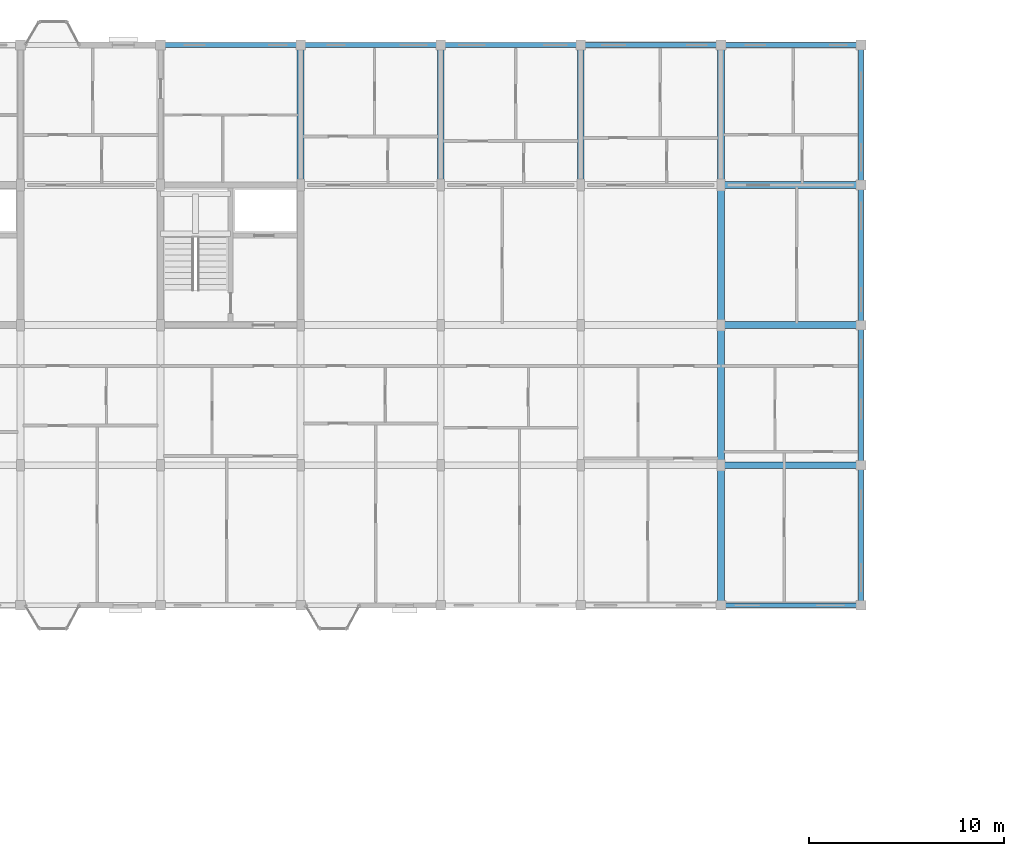
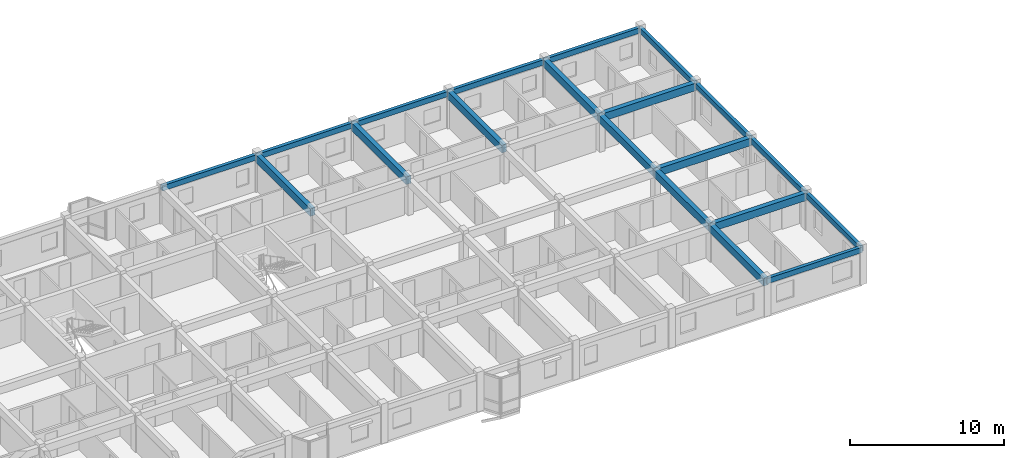
# One storey, part 41 of 70: 20 beams.
"""IFC4 building model written with IfcOpenShell, lengths in metres."""

from ifc_helpers import new_model, si_unit, direction, frame, origin, origin_2d, place, context, subcontext, project, spatial, rectangle, extrude, material, material_profile, profile_set, type_object, element, save


model = new_model("IFC4")

# Units and contexts
model_context = context("Model", 3, precision=1e-05, world=origin(), true_north=direction((0.0, 1.0)))
body_context = subcontext(model_context, "Body", "Model", "MODEL_VIEW")
ifc_project = project(units=[si_unit("LENGTHUNIT", "METRE"), si_unit("AREAUNIT", "SQUARE_METRE"), si_unit("VOLUMEUNIT", "CUBIC_METRE"), si_unit("PLANEANGLEUNIT", "RADIAN"), si_unit("MASSUNIT", "GRAM", prefix="KILO"), si_unit("THERMODYNAMICTEMPERATUREUNIT", "KELVIN"), si_unit("POWERUNIT", "WATT")], contexts=[model_context])

# Site, building, storey
site_placement = place(None, origin())
site = spatial("IfcSite", under=ifc_project, at=site_placement, CompositionType="ELEMENT")
building_placement = place(site_placement, origin())
building = spatial("IfcBuilding", under=site, at=building_placement, Name="Tavuni Mirador Residences", CompositionType="ELEMENT")
storey_placement = place(building_placement, frame((0.0, 0.0, 23.39990234375)))
storey = spatial("IfcBuildingStorey", under=building, at=storey_placement, Name="L07", CompositionType="ELEMENT", Elevation=23.39990234375)

# Beams
ifc_material = material(Name="Precast concrete C40/50", Category="concrete")
ifc_material_profile_1 = material_profile(ifc_material, rectangle(XDim=0.35009765625, YDim=0.60009765625, at=origin_2d()), Name="PC 350x600", Category="concrete")
ifc_profile_set_1 = profile_set([ifc_material_profile_1], Name="Precast concrete C40/50")
beam_type_1 = type_object("IfcBeamType", Name="BT-B600", PredefinedType="BEAM", material=ifc_profile_set_1)
for number, where, z_axis, x_axis, name in (
    (1, (68.39990234375, 151.199951171875, 2.585205078125), (1.0, 0.0, 0.0), (0.0, 1.0, 0.0), "BMX-BLK-C-L07-08-01"),
    (2, (68.39990234375, 158.39990234375, 2.585205078125), (1.0, 0.0, 0.0), (0.0, 1.0, 0.0), "BMX-BLK-C-L07-08-02"),
    (3, (68.39990234375, 165.60009765625, 2.585205078125), (1.0, 0.0, 0.0), (0.0, 1.0, 0.0), "BMX-BLK-C-L07-08-03"),
):
    element("IfcBeam", number, at=place(storey_placement, frame(where, z_axis=z_axis, x_axis=x_axis)), inside=storey, type_object=beam_type_1, Name=name, PredefinedType="BEAM", context=body_context, shape_type="SweptSolid", body=[
        extrude(rectangle(XDim=0.35009765625, YDim=0.60009765625, at=origin_2d()), origin(), (0.0, 0.0, 1.0), 7.2001953125),
    ])
for number, where, z_axis, x_axis, name in (
    (4, (46.800048828125, 165.60009765625, 2.585205078125), (0.0, 1.0, 0.0), (-1.0, 0.0, 0.0), "BMY-BLK-C-L07-05-03"),
    (5, (54.0, 165.60009765625, 2.585205078125), (0.0, 1.0, 0.0), (-1.0, 0.0, 0.0), "BMY-BLK-C-L07-06-03"),
    (6, (61.199951171875, 165.60009765625, 2.585205078125), (0.0, 1.0, 0.0), (-1.0, 0.0, 0.0), "BMY-BLK-C-L07-07-03"),
    (7, (68.39990234375, 144.0, 2.585205078125), (0.0, 1.0, 0.0), (-1.0, 0.0, 0.0), "BMY-BLK-C-L07-08-00"),
    (8, (68.39990234375, 151.199951171875, 2.585205078125), (0.0, 1.0, 0.0), (-1.0, 0.0, 0.0), "BMY-BLK-C-L07-08-01"),
):
    element("IfcBeam", number, at=place(storey_placement, frame(where, z_axis=z_axis, x_axis=x_axis)), inside=storey, type_object=beam_type_1, Name=name, PredefinedType="BEAM", context=body_context, shape_type="SweptSolid", body=[
        extrude(rectangle(XDim=0.35009765625, YDim=0.60009765625, at=origin_2d()), origin(), (0.0, 0.0, 1.0), 7.199951171875),
    ])
beam_1_placement = place(storey_placement, frame((68.39990234375, 158.39990234375, 2.585205078125), z_axis=(0.0, 1.0, 0.0), x_axis=(-1.0, 0.0, 0.0)))
element("IfcBeam", 9, at=beam_1_placement, inside=storey, type_object=beam_type_1, Name="BMY-BLK-C-L07-08-02", PredefinedType="BEAM", context=body_context, shape_type="SweptSolid", body=[
    extrude(rectangle(XDim=0.35009765625, YDim=0.60009765625, at=origin_2d()), origin(), (0.0, 0.0, 1.0), 7.2001953125),
])
beam_2_placement = place(storey_placement, frame((68.39990234375, 165.60009765625, 2.585205078125), z_axis=(0.0, 1.0, 0.0), x_axis=(-1.0, 0.0, 0.0)))
element("IfcBeam", 10, at=beam_2_placement, inside=storey, type_object=beam_type_1, Name="BMY-BLK-C-L07-08-03", PredefinedType="BEAM", context=body_context, shape_type="SweptSolid", body=[
    extrude(rectangle(XDim=0.35009765625, YDim=0.60009765625, at=origin_2d()), origin(), (0.0, 0.0, 1.0), 7.199951171875),
])
ifc_material_profile_2 = material_profile(ifc_material, rectangle(XDim=0.25, YDim=0.419921875, at=origin_2d()), Name="PC 250x420", Category="concrete")
ifc_profile_set_2 = profile_set([ifc_material_profile_2], Name="Precast concrete C40/50")
beam_type_2 = type_object("IfcBeamType", Name="BT-SP420", PredefinedType="SPANDREL", material=ifc_profile_set_2)
beam_3_placement = place(storey_placement, frame((68.39990234375, 144.0, 2.675048828125), z_axis=(1.0, 0.0, 0.0), x_axis=(0.0, 1.0, 0.0)))
element("IfcBeam", 11, at=beam_3_placement, inside=storey, type_object=beam_type_2, Name="BMX-BLK-C-L07-08-00", PredefinedType="SPANDREL", context=body_context, shape_type="SweptSolid", body=[
    extrude(rectangle(XDim=0.25, YDim=0.419921875, at=origin_2d()), origin(), (0.0, 0.0, 1.0), 7.2001953125),
])
for number, where, z_axis, x_axis, name in (
    (12, (39.60009765625, 172.800048828125, 2.675048828125), (1.0, 0.0, 0.0), (0.0, 1.0, 0.0), "BMX-BLK-C-L07-04-04"),
    (13, (46.800048828125, 172.800048828125, 2.675048828125), (1.0, 0.0, 0.0), (0.0, 1.0, 0.0), "BMX-BLK-C-L07-05-04"),
    (14, (54.0, 172.800048828125, 2.675048828125), (1.0, 0.0, 0.0), (0.0, 1.0, 0.0), "BMX-BLK-C-L07-06-04"),
    (15, (61.199951171875, 172.800048828125, 2.675048828125), (1.0, 0.0, 0.0), (0.0, 1.0, 0.0), "BMX-BLK-C-L07-07-04"),
):
    element("IfcBeam", number, at=place(storey_placement, frame(where, z_axis=z_axis, x_axis=x_axis)), inside=storey, type_object=beam_type_2, Name=name, PredefinedType="SPANDREL", context=body_context, shape_type="SweptSolid", body=[
        extrude(rectangle(XDim=0.25, YDim=0.419921875, at=origin_2d()), origin(), (0.0, 0.0, 1.0), 7.199951171875),
    ])
beam_4_placement = place(storey_placement, frame((68.39990234375, 172.800048828125, 2.675048828125), z_axis=(1.0, 0.0, 0.0), x_axis=(0.0, 1.0, 0.0)))
element("IfcBeam", 16, at=beam_4_placement, inside=storey, type_object=beam_type_2, Name="BMX-BLK-C-L07-08-04", PredefinedType="SPANDREL", context=body_context, shape_type="SweptSolid", body=[
    extrude(rectangle(XDim=0.25, YDim=0.419921875, at=origin_2d()), origin(), (0.0, 0.0, 1.0), 7.2001953125),
])
for number, where, z_axis, x_axis, name in (
    (17, (75.60009765625, 144.0, 2.675048828125), (0.0, 1.0, 0.0), (-1.0, 0.0, 0.0), "BMY-BLK-C-L07-09-00"),
    (18, (75.60009765625, 151.199951171875, 2.675048828125), (0.0, 1.0, 0.0), (-1.0, 0.0, 0.0), "BMY-BLK-C-L07-09-01"),
):
    element("IfcBeam", number, at=place(storey_placement, frame(where, z_axis=z_axis, x_axis=x_axis)), inside=storey, type_object=beam_type_2, Name=name, PredefinedType="SPANDREL", context=body_context, shape_type="SweptSolid", body=[
        extrude(rectangle(XDim=0.25, YDim=0.419921875, at=origin_2d()), origin(), (0.0, 0.0, 1.0), 7.199951171875),
    ])
beam_5_placement = place(storey_placement, frame((75.60009765625, 158.39990234375, 2.675048828125), z_axis=(0.0, 1.0, 0.0), x_axis=(-1.0, 0.0, 0.0)))
element("IfcBeam", 19, at=beam_5_placement, inside=storey, type_object=beam_type_2, Name="BMY-BLK-C-L07-09-02", PredefinedType="SPANDREL", context=body_context, shape_type="SweptSolid", body=[
    extrude(rectangle(XDim=0.25, YDim=0.419921875, at=origin_2d()), origin(), (0.0, 0.0, 1.0), 7.2001953125),
])
beam_6_placement = place(storey_placement, frame((75.60009765625, 165.60009765625, 2.675048828125), z_axis=(0.0, 1.0, 0.0), x_axis=(-1.0, 0.0, 0.0)))
element("IfcBeam", 20, at=beam_6_placement, inside=storey, type_object=beam_type_2, Name="BMY-BLK-C-L07-09-03", PredefinedType="SPANDREL", context=body_context, shape_type="SweptSolid", body=[
    extrude(rectangle(XDim=0.25, YDim=0.419921875, at=origin_2d()), origin(), (0.0, 0.0, 1.0), 7.199951171875),
])

save(model, "model.ifc")
